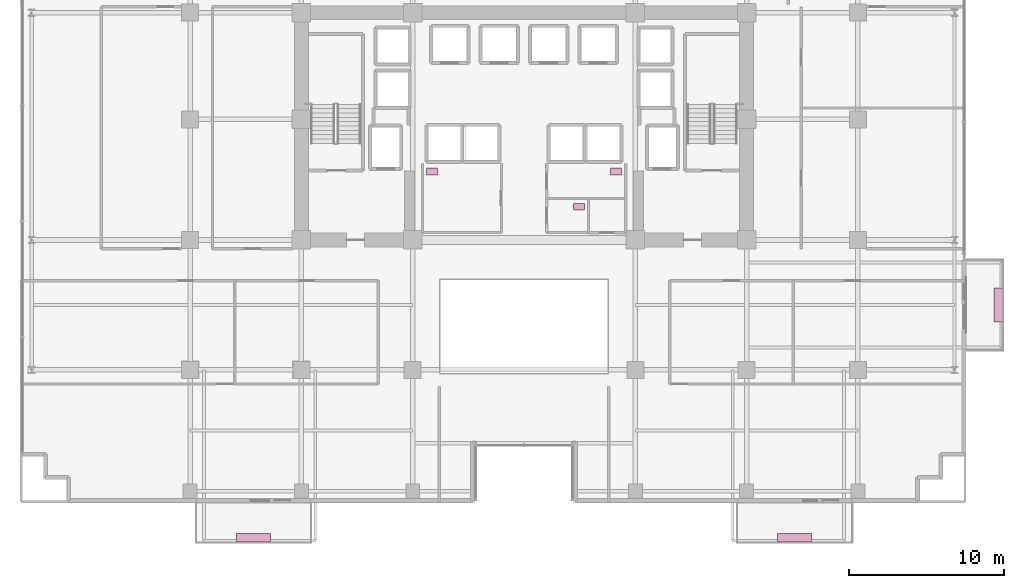
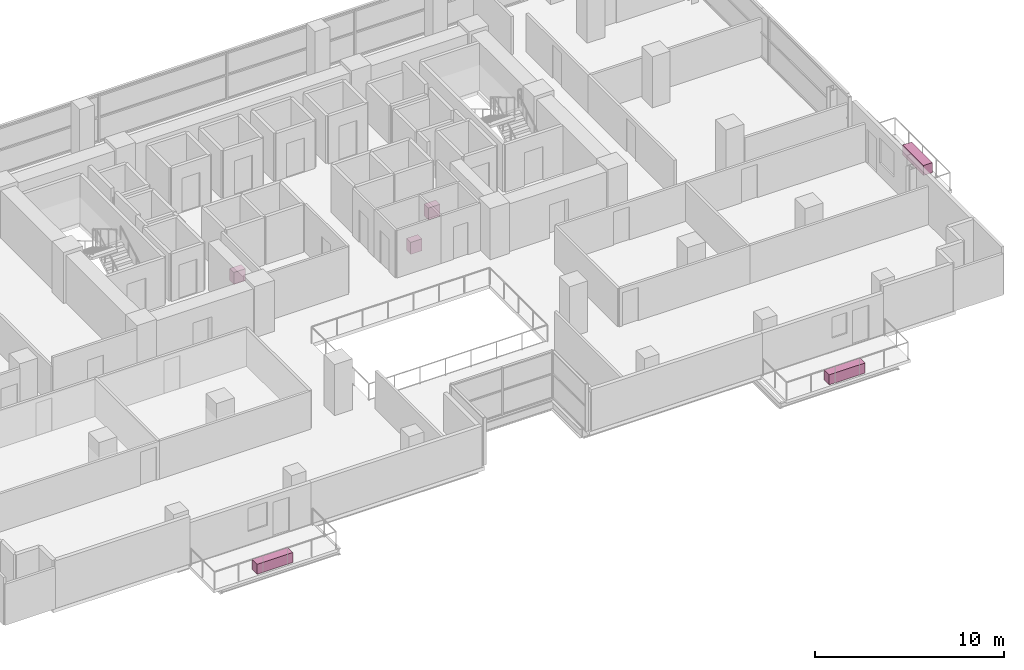
# One storey, part 29 of 29: 6 furnishings.
"""IFC4 building model written with IfcOpenShell, lengths in metres."""

from ifc_helpers import new_model, si_unit, direction, frame, origin, origin_2d, place, context, subcontext, project, spatial, rectangle, extrude, source, transform, mapped, material, type_object, element, save


model = new_model("IFC4")

# Units and contexts
model_context = context("Model", 3, precision=1e-05, world=origin(), true_north=direction((0.0, 1.0)))
body_context = subcontext(model_context, "Body", "Model", "MODEL_VIEW")
ifc_project = project(units=[si_unit("LENGTHUNIT", "METRE"), si_unit("AREAUNIT", "SQUARE_METRE"), si_unit("VOLUMEUNIT", "CUBIC_METRE"), si_unit("PLANEANGLEUNIT", "RADIAN"), si_unit("MASSUNIT", "GRAM", prefix="KILO")], contexts=[model_context])

# Site, building, storey
site_placement = place(None, origin())
site = spatial("IfcSite", under=ifc_project, at=site_placement, CompositionType="ELEMENT")
building_placement = place(site_placement, origin())
building = spatial("IfcBuilding", under=site, at=building_placement, Name="Zarnakvel Exchange Tower", CompositionType="ELEMENT")
storey_placement = place(building_placement, frame((0.0, 0.0, 37.300048828125)))
storey = spatial("IfcBuildingStorey", under=building, at=storey_placement, Name="L09", CompositionType="ELEMENT", Elevation=37.300048828125)

# Furnishings
ifc_material_1 = material(Name="Architectural Bronze Anodised Aluminium", Category="aluminium")
furnishing_element_type_1 = type_object("IfcFurnishingElementType", Name="PLNT-01", material=ifc_material_1)
shared_shape_1 = source(origin(), body_context, "Body", "SweptSolid", [
    extrude(rectangle(XDim=2.199951171875, YDim=0.550048828125, at=origin_2d()), origin(), (0.0, 0.0, 1.0), 0.64990234375),
])
for number, where, z_axis, x_axis, name in (
    (1, (-17.5, -20.469970703125, -0.034912109375), (0.0, 0.0, 1.0), (1.0, 0.0, 0.0), "L09 Balcony Greenery Planter BAL-L09-SW"),
    (2, (17.5, -20.469970703125, -0.034912109375), (0.0, 0.0, 1.0), (1.0, 0.0, 0.0), "L09 Balcony Greenery Planter BAL-L09-SE"),
    (3, (30.669921875, -5.39990234375, -0.034912109375), (0.0, 0.0, 1.0), (0.0, 1.0, 0.0), "L09 Balcony Greenery Planter BAL-L09-E"),
):
    element("IfcFurnishingElement", number, at=place(storey_placement, frame(where, z_axis=z_axis, x_axis=x_axis)), inside=storey, type_object=furnishing_element_type_1, Name=name, ObjectType="PLANTER", context=body_context, shape_type="MappedRepresentation", body=[
        mapped(shared_shape_1, transform((0.0, 0.0, 0.0), x_axis=(1.0, 0.0, 0.0), y_axis=(0.0, 1.0, 0.0), z_axis=(0.0, 0.0, 1.0), scale=1.0)),
    ])
ifc_material_2 = material(Name="Vitreous China Sanitaryware", Category="ceramic")
furnishing_element_type_2 = type_object("IfcFurnishingElementType", Name="SAN-WC", material=ifc_material_2)
shared_shape_2 = source(origin(), body_context, "Body", "SweptSolid", [
    extrude(rectangle(XDim=0.699951171875, YDim=0.449951171875, at=origin_2d()), origin(), (0.0, 0.0, 1.0), 0.780029296875),
])
for number, where, z_axis, x_axis, name in (
    (4, (-5.949951171875, 3.22998046875, 0.0), (0.0, 0.0, 1.0), (1.0, 0.0, 0.0), "L09 Sanitary Fixture (Male Toilet)"),
    (5, (5.949951171875, 3.22998046875, 0.0), (0.0, 0.0, 1.0), (1.0, 0.0, 0.0), "L09 Sanitary Fixture (Female Toilet)"),
    (6, (3.550048828125, 0.949951171875, 0.0), (0.0, 0.0, 1.0), (1.0, 0.0, 0.0), "L09 Sanitary Fixture (Accessible Toilet)"),
):
    element("IfcFurnishingElement", number, at=place(storey_placement, frame(where, z_axis=z_axis, x_axis=x_axis)), inside=storey, type_object=furnishing_element_type_2, Name=name, ObjectType="SANITARY_FIXTURE", context=body_context, shape_type="MappedRepresentation", body=[
        mapped(shared_shape_2, transform((0.0, 0.0, 0.0), x_axis=(1.0, 0.0, 0.0), y_axis=(0.0, 1.0, 0.0), z_axis=(0.0, 0.0, 1.0), scale=1.0)),
    ])

save(model, "model.ifc")
